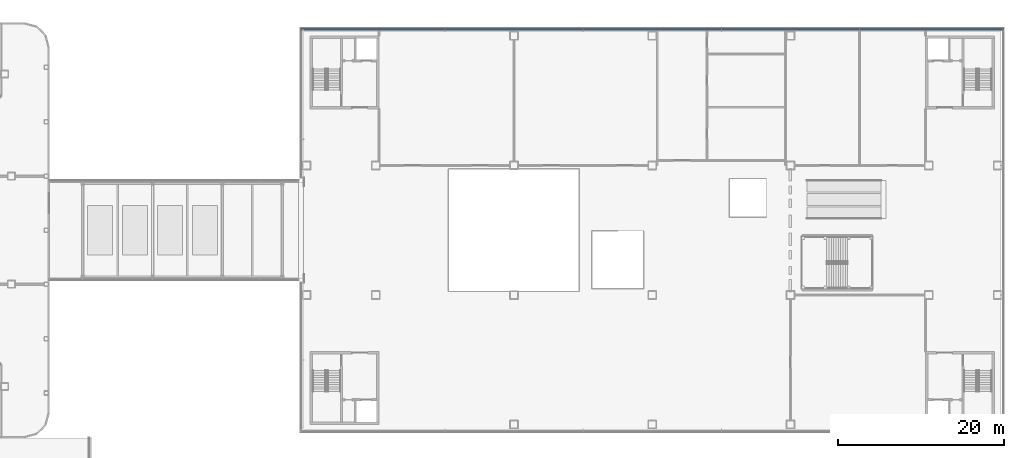
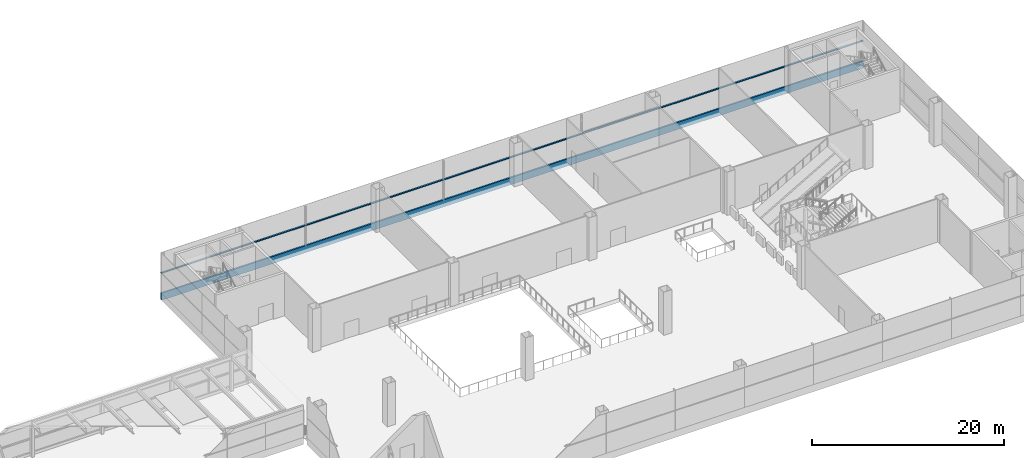
# One storey, part 24 of 100: 2 members, 1 element without a shape of its own.
"""IFC4 building model written with IfcOpenShell, lengths in metres."""

from ifc_helpers import new_model, si_unit, direction, frame, origin, origin_2d, place, context, subcontext, project, spatial, rectangle, extrude, material, layer, layer_set, material_profile, profile_set, type_object, element, aggregate, save


model = new_model("IFC4")

# Units and contexts
model_context = context("Model", 3, precision=1e-05, world=origin(), true_north=direction((0.0, 1.0)))
body_context = subcontext(model_context, "Body", "Model", "MODEL_VIEW")
ifc_project = project(units=[si_unit("LENGTHUNIT", "METRE"), si_unit("AREAUNIT", "SQUARE_METRE"), si_unit("VOLUMEUNIT", "CUBIC_METRE"), si_unit("PLANEANGLEUNIT", "RADIAN"), si_unit("MASSUNIT", "GRAM", prefix="KILO")], contexts=[model_context])

# Site, building, storey
site_placement = place(None, origin())
site = spatial("IfcSite", under=ifc_project, at=site_placement, CompositionType="ELEMENT")
building_placement = place(site_placement, origin())
building = spatial("IfcBuilding", under=site, at=building_placement, Name="Hakoniwa Tower and Hamabe Station Hall", CompositionType="ELEMENT")
storey_placement = place(building_placement, frame((0.0, 0.0, 9.0)))
storey = spatial("IfcBuildingStorey", under=building, at=storey_placement, Name="L02", CompositionType="ELEMENT", Elevation=9.0)

# Curtain wall, members
ifc_material_1 = material(Name="Dark low-e laminated glass", Category="glass")
ifc_layer = layer(ifc_material_1, 0.199951171875)
ifc_layer_set = layer_set([ifc_layer], Name="CW-7 STATION")
curtain_wall_type = type_object("IfcCurtainWallType", Name="CW-7 STATION", PredefinedType="NOTDEFINED", material=ifc_layer_set)
curtain_wall_placement = place(storey_placement, origin())
curtain_wall = element("IfcCurtainWall", 1, at=curtain_wall_placement, inside=storey, type_object=curtain_wall_type, Name="Station curtain wall L02 north", PredefinedType="NOTDEFINED")
ifc_material_2 = material(Name="Aluminium 6063-T5 black anodised", Category="aluminium")
ifc_material_profile_1 = material_profile(ifc_material_2, rectangle(XDim=0.199951171875, YDim=0.1201171875, at=origin_2d()), Name="CW MID TRANSOM 120X200")
ifc_profile_set_1 = profile_set([ifc_material_profile_1], Name="Aluminium 6063-T5 black anodised")
member_type_1 = type_object("IfcMemberType", Name="CW MID TRANSOM 120X200", PredefinedType="USERDEFINED", material=ifc_profile_set_1)
member_1_placement = place(storey_placement, frame((169.85009765625, 24.199951171875, 2.89990234375), z_axis=(-1.0, 0.0, 0.0), x_axis=(0.0, -1.0, 0.0)))
member_1 = element("IfcMember", 2, at=member_1_placement, type_object=member_type_1, Name="CW-7 transom", ObjectType="TRANSOM", PredefinedType="USERDEFINED", context=body_context, shape_type="SweptSolid", body=[
    extrude(rectangle(XDim=0.199951171875, YDim=0.1201171875, at=origin_2d()), origin(), (0.0, 0.0, 1.0), 84.60009765625),
])
ifc_material_3 = material(Name="Aluminium 6063-T5 black anodised", Category="aluminium")
ifc_material_profile_2 = material_profile(ifc_material_3, rectangle(XDim=0.199951171875, YDim=0.89990234375, at=origin_2d()), Name="CW SLAB-EDGE BAND 900X200")
ifc_profile_set_2 = profile_set([ifc_material_profile_2], Name="Aluminium 6063-T5 black anodised")
member_type_2 = type_object("IfcMemberType", Name="CW SLAB-EDGE BAND 900X200", PredefinedType="USERDEFINED", material=ifc_profile_set_2)
member_2_placement = place(storey_placement, frame((169.85009765625, 24.199951171875, -0.10009765625), z_axis=(-1.0, 0.0, 0.0), x_axis=(0.0, -1.0, 0.0)))
member_2 = element("IfcMember", 3, at=member_2_placement, type_object=member_type_2, Name="CW-7 transom", ObjectType="TRANSOM", PredefinedType="USERDEFINED", context=body_context, shape_type="SweptSolid", body=[
    extrude(rectangle(XDim=0.199951171875, YDim=0.89990234375, at=origin_2d()), origin(), (0.0, 0.0, 1.0), 84.60009765625),
])
aggregate(curtain_wall, [member_2, member_1])

save(model, "model.ifc")
